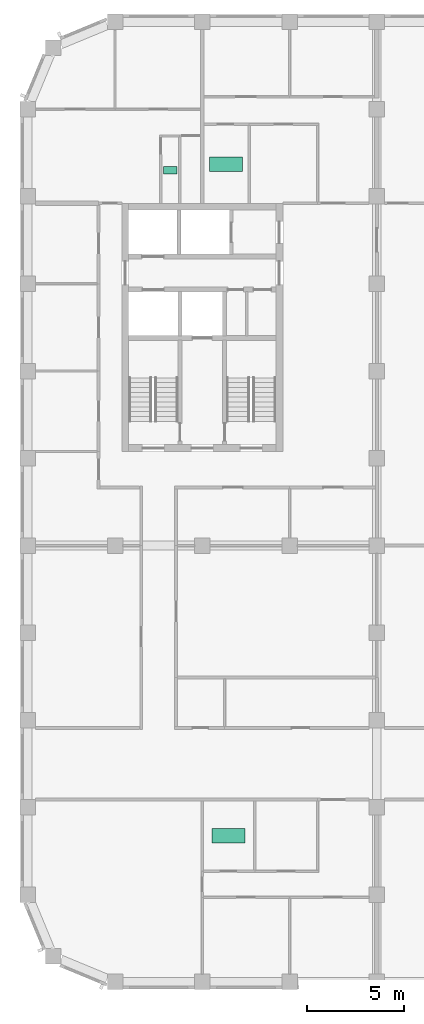
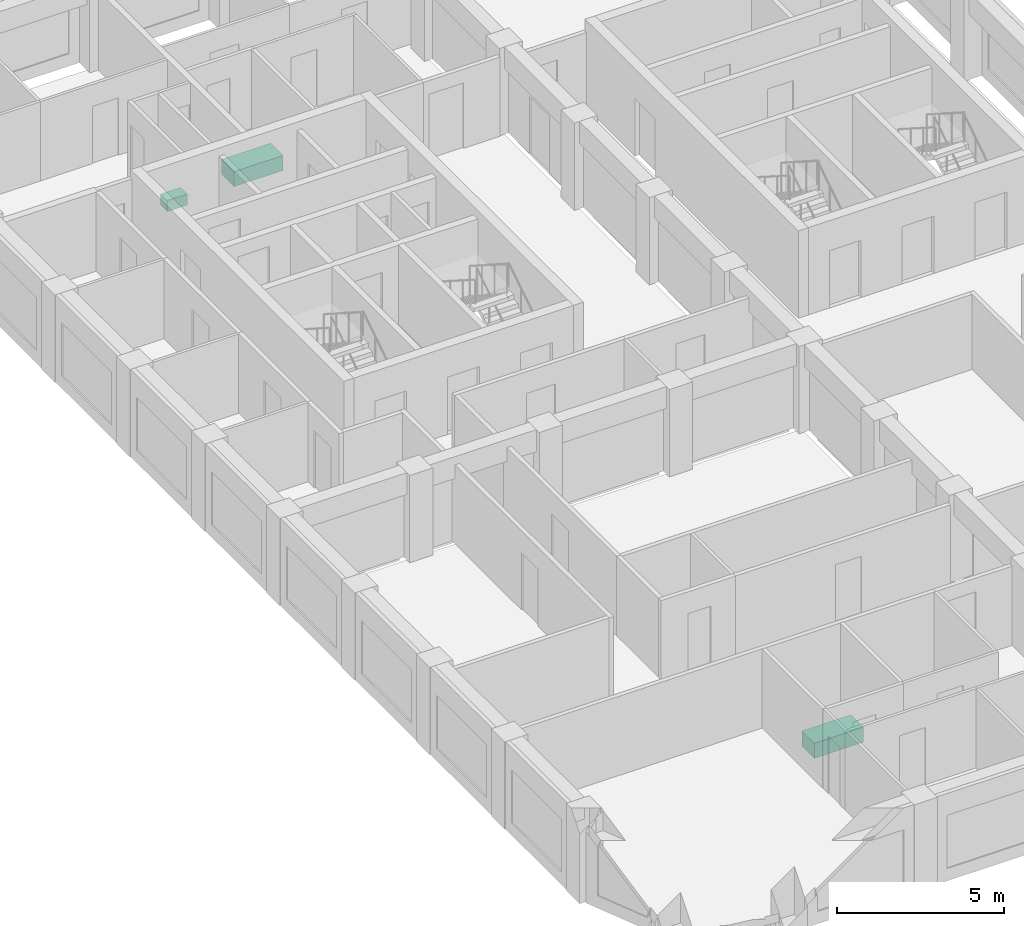
# One storey, part 9 of 9: 3 sanitary terminals.
"""IFC4 building model written with IfcOpenShell, lengths in metres."""

from ifc_helpers import new_model, si_unit, direction, frame, origin, origin_2d, place, context, subcontext, project, spatial, rectangle, extrude, material, type_object, element, save


model = new_model("IFC4")

# Units and contexts
model_context = context("Model", 3, precision=1e-05, world=origin(), true_north=direction((0.0, 1.0)))
body_context = subcontext(model_context, "Body", "Model", "MODEL_VIEW")
ifc_project = project(units=[si_unit("LENGTHUNIT", "METRE"), si_unit("AREAUNIT", "SQUARE_METRE"), si_unit("VOLUMEUNIT", "CUBIC_METRE"), si_unit("PLANEANGLEUNIT", "RADIAN"), si_unit("MASSUNIT", "GRAM", prefix="KILO")], contexts=[model_context])

# Site, building, storey
site_placement = place(None, origin())
site = spatial("IfcSite", under=ifc_project, at=site_placement, CompositionType="ELEMENT")
building_placement = place(site_placement, origin())
building = spatial("IfcBuilding", under=site, at=building_placement, Name="Girih Gate Residences", CompositionType="ELEMENT")
storey_placement = place(building_placement, frame((0.0, 0.0, 219.695068359375)))
storey = spatial("IfcBuildingStorey", under=building, at=storey_placement, Name="L61", CompositionType="ELEMENT", Elevation=219.695068359375)

# Sanitary terminals
ifc_material_1 = material(Name="Acrylic")
sanitary_terminal_type_1 = type_object("IfcSanitaryTerminalType", Name="Bath 1700", PredefinedType="BATH", material=ifc_material_1)
for number, where, z_axis, x_axis, name in (
    (1, (10.35400390625, 7.5439453125, 0.0), (0.0, 0.0, 1.0), (1.0, 0.0, 0.0), "Bath 1700 L61"),
    (2, (10.22802734375, 42.154052734375, 0.0), (0.0, 0.0, 1.0), (1.0, 0.0, 0.0), "Bath 1700 L61"),
):
    element("IfcSanitaryTerminal", number, at=place(storey_placement, frame(where, z_axis=z_axis, x_axis=x_axis)), inside=storey, type_object=sanitary_terminal_type_1, Name=name, PredefinedType="BATH", context=body_context, shape_type="SweptSolid", body=[
        extrude(rectangle(XDim=1.699951171875, YDim=0.75, at=origin_2d()), origin(), (0.0, 0.0, 1.0), 0.550048828125),
    ])
ifc_material_2 = material(Name="Vitreous china")
sanitary_terminal_type_2 = type_object("IfcSanitaryTerminalType", Name="WC pan", PredefinedType="TOILETPAN", material=ifc_material_2)
sanitary_terminal_placement = place(storey_placement, frame((7.337890625, 41.85400390625, 0.0), z_axis=(0.0, 0.0, 1.0), x_axis=(1.0, 0.0, 0.0)))
element("IfcSanitaryTerminal", 3, at=sanitary_terminal_placement, inside=storey, type_object=sanitary_terminal_type_2, Name="WC pan L61", PredefinedType="TOILETPAN", context=body_context, shape_type="SweptSolid", body=[
    extrude(rectangle(XDim=0.699951171875, YDim=0.39990234375, at=origin_2d()), origin(), (0.0, 0.0, 1.0), 0.39990234375),
])

save(model, "model.ifc")
